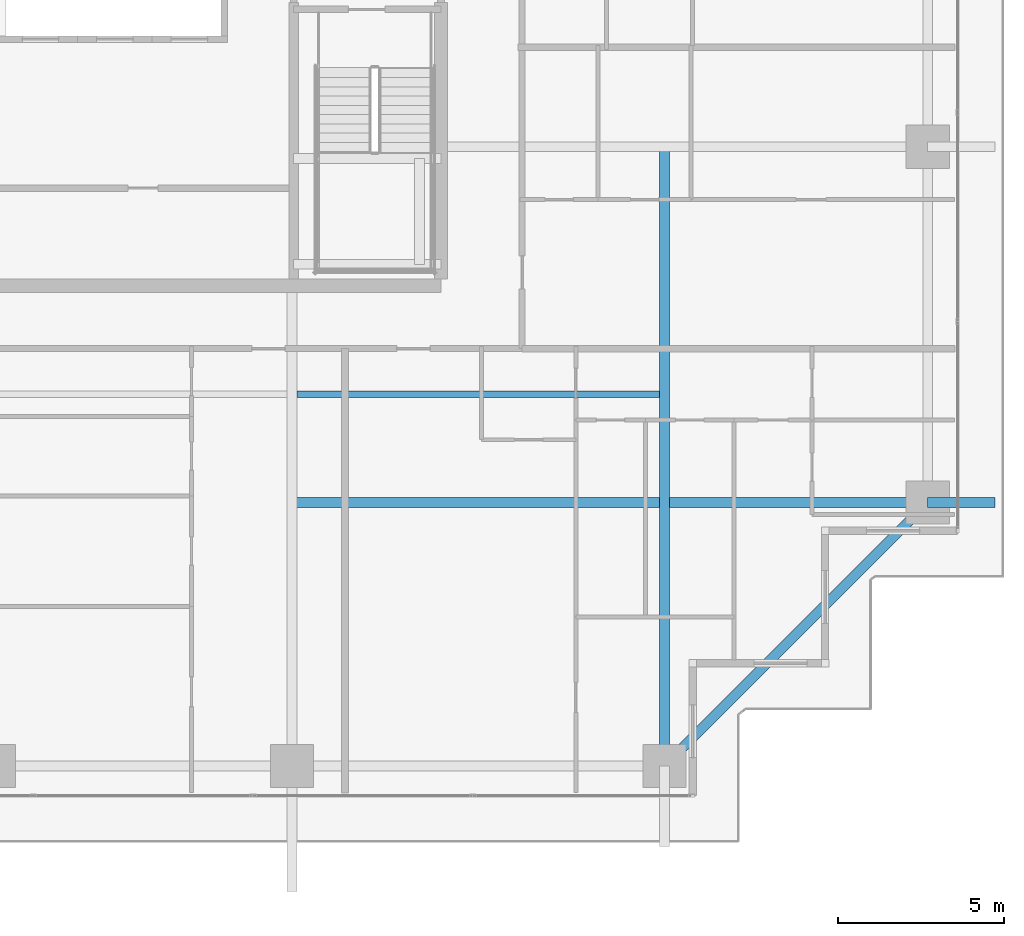
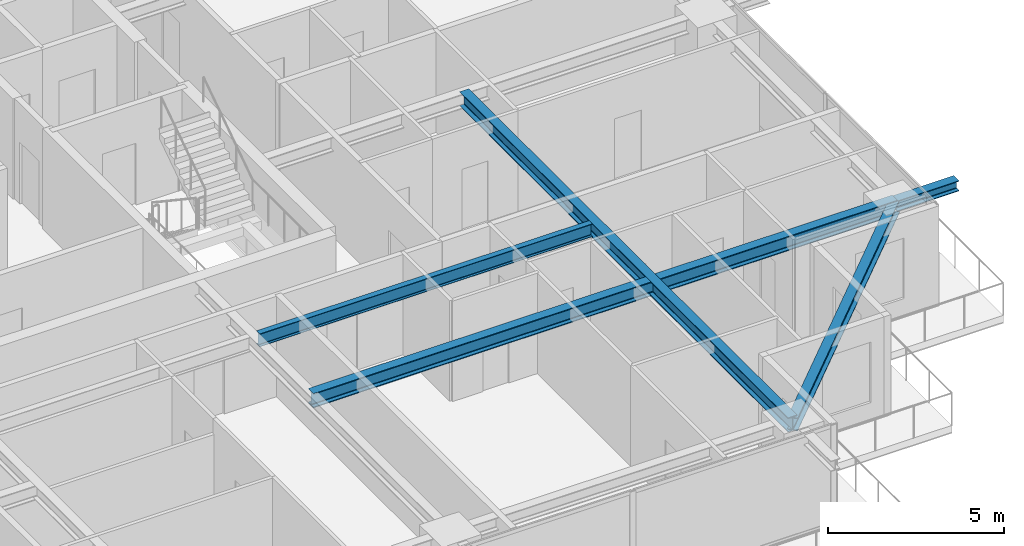
# One storey, part 13 of 38: 5 beams.
"""IFC4 building model written with IfcOpenShell, lengths in metres."""

from ifc_helpers import new_model, si_unit, direction, frame, origin, origin_2d, place, context, subcontext, project, spatial, i_section, extrude, source, transform, mapped, material, material_profile, profile_set, type_object, element, save


model = new_model("IFC4")

# Units and contexts
model_context = context("Model", 3, precision=1e-05, world=origin(), true_north=direction((0.0, 1.0)))
body_context = subcontext(model_context, "Body", "Model", "MODEL_VIEW")
ifc_project = project(units=[si_unit("LENGTHUNIT", "METRE"), si_unit("AREAUNIT", "SQUARE_METRE"), si_unit("VOLUMEUNIT", "CUBIC_METRE"), si_unit("PLANEANGLEUNIT", "RADIAN"), si_unit("MASSUNIT", "GRAM", prefix="KILO")], contexts=[model_context])

# Site, building, storey
site_placement = place(None, origin())
site = spatial("IfcSite", under=ifc_project, at=site_placement, CompositionType="ELEMENT")
building_placement = place(site_placement, origin())
building = spatial("IfcBuilding", under=site, at=building_placement, Name="Serunith Strait Residences", CompositionType="ELEMENT")
storey_placement = place(building_placement, frame((0.0, 0.0, 183.89990234375)))
storey = spatial("IfcBuildingStorey", under=building, at=storey_placement, Name="L46", CompositionType="ELEMENT", Elevation=183.89990234375)

# Beams
ifc_material = material(Name="Steel S355J2", Category="steel")
ifc_material_profile_1 = material_profile(ifc_material, i_section(OverallWidth=0.300048828125, OverallDepth=0.5, WebThickness=0.014404296875, FlangeThickness=0.028076171875, FilletRadius=0.027099609375, at=origin_2d()), Name="HEB 500")
ifc_profile_set_1 = profile_set([ifc_material_profile_1], Name="Steel S355J2")
beam_type_1 = type_object("IfcBeamType", Name="BM-HEB500", PredefinedType="BEAM", material=ifc_profile_set_1)
shared_shape_1 = source(origin(), body_context, "Body", "SweptSolid", [
    extrude(i_section(OverallWidth=0.300048828125, OverallDepth=0.5, WebThickness=0.014404296875, FlangeThickness=0.028076171875, FilletRadius=0.027099609375, at=origin_2d()), origin(), (0.0, 0.0, 1.0), 18.699951171875),
])
beam_1_placement = place(storey_placement, frame((48.14990234375, 21.0, 3.237060546875), z_axis=(0.0, -1.0, 0.0), x_axis=(1.0, 0.0, 0.0)))
element("IfcBeam", 1, at=beam_1_placement, inside=storey, type_object=beam_type_1, Name="L46 Orthogonal Corner Girder TC-S4", PredefinedType="BEAM", context=body_context, shape_type="MappedRepresentation", body=[
    mapped(shared_shape_1, transform((0.0, 0.0, 0.0), scale=1.0)),
])
shared_shape_2 = source(origin(), body_context, "Body", "SweptSolid", [
    extrude(i_section(OverallWidth=0.300048828125, OverallDepth=0.5, WebThickness=0.014404296875, FlangeThickness=0.028076171875, FilletRadius=0.027099609375, at=origin_2d()), origin(), (0.0, 0.0, 1.0), 19.2001953125),
])
beam_2_placement = place(storey_placement, frame((36.89990234375, 10.25, 3.237060546875), z_axis=(1.0, 0.0, 0.0), x_axis=(0.0, 1.0, 0.0)))
element("IfcBeam", 2, at=beam_2_placement, inside=storey, type_object=beam_type_1, Name="L46 Orthogonal Corner Girder TC-E1", PredefinedType="BEAM", context=body_context, shape_type="MappedRepresentation", body=[
    mapped(shared_shape_2, transform((0.0, 0.0, 0.0), scale=1.0)),
])
ifc_material_profile_2 = material_profile(ifc_material, i_section(OverallWidth=0.300048828125, OverallDepth=0.449951171875, WebThickness=0.013916015625, FlangeThickness=0.02587890625, FilletRadius=0.027099609375, at=origin_2d()), Name="HEB 450")
ifc_profile_set_2 = profile_set([ifc_material_profile_2], Name="Steel S355J2")
beam_type_2 = type_object("IfcBeamType", Name="BM-HEB450", PredefinedType="BEAM", material=ifc_profile_set_2)
shared_shape_3 = source(origin(), body_context, "Body", "SweptSolid", [
    extrude(i_section(OverallWidth=0.300048828125, OverallDepth=0.449951171875, WebThickness=0.013916015625, FlangeThickness=0.02587890625, FilletRadius=0.027099609375, at=origin_2d()), origin(), (0.0, 0.0, 1.0), 11.2431640625),
])
beam_3_placement = place(storey_placement, frame((48.14990234375, 2.300048828125, 3.232177734375), z_axis=(0.707117638455, 0.707095923751, 0.0), x_axis=(-0.707095923751, 0.707117638455, 0.0)))
element("IfcBeam", 3, at=beam_3_placement, inside=storey, type_object=beam_type_2, Name="L46 Perimeter Ring Beam 04", PredefinedType="BEAM", context=body_context, shape_type="MappedRepresentation", body=[
    mapped(shared_shape_3, transform((0.0, 0.0, 0.0), scale=1.0)),
])
ifc_material_profile_3 = material_profile(ifc_material, i_section(OverallWidth=0.18994140625, OverallDepth=0.449951171875, WebThickness=0.009521484375, FlangeThickness=0.0146484375, FilletRadius=0.02099609375, at=origin_2d()), Name="IPE 450")
ifc_profile_set_3 = profile_set([ifc_material_profile_3], Name="Steel S355J2")
beam_type_3 = type_object("IfcBeamType", Name="BM-IPE450", PredefinedType="JOIST", material=ifc_profile_set_3)
shared_shape_4 = source(origin(), body_context, "Body", "SweptSolid", [
    extrude(i_section(OverallWidth=0.18994140625, OverallDepth=0.449951171875, WebThickness=0.009521484375, FlangeThickness=0.0146484375, FilletRadius=0.02099609375, at=origin_2d()), origin(), (0.0, 0.0, 1.0), 10.949951171875),
])
beam_4_placement = place(storey_placement, frame((37.050048828125, 13.52490234375, 3.26220703125), z_axis=(1.0, 0.0, 0.0), x_axis=(0.0, 1.0, 0.0)))
element("IfcBeam", 4, at=beam_4_placement, inside=storey, type_object=beam_type_3, Name="L46 Composite Floor Joist 03", PredefinedType="JOIST", context=body_context, shape_type="MappedRepresentation", body=[
    mapped(shared_shape_4, transform((0.0, 0.0, 0.0), scale=1.0)),
])
ifc_material_profile_4 = material_profile(ifc_material, i_section(OverallWidth=0.300048828125, OverallDepth=0.360107421875, WebThickness=0.012451171875, FlangeThickness=0.0224609375, FilletRadius=0.027099609375, at=origin_2d()), Name="HEB 360")
ifc_profile_set_4 = profile_set([ifc_material_profile_4], Name="Steel S355J2")
beam_type_4 = type_object("IfcBeamType", Name="BM-HEB360", PredefinedType="BEAM", material=ifc_profile_set_4)
shared_shape_5 = source(origin(), body_context, "Body", "SweptSolid", [
    extrude(i_section(OverallWidth=0.300048828125, OverallDepth=0.360107421875, WebThickness=0.012451171875, FlangeThickness=0.0224609375, FilletRadius=0.027099609375, at=origin_2d()), origin(), (0.0, 0.0, 1.0), 2.02978515625),
])
beam_5_placement = place(storey_placement, frame((56.10009765625, 10.25, 3.277099609375), z_axis=(1.0, 0.0, 0.0), x_axis=(0.0, 1.0, 0.0)))
element("IfcBeam", 5, at=beam_5_placement, inside=storey, type_object=beam_type_4, Name="L47 Cantilevered Balcony Rib TC-E1", PredefinedType="BEAM", context=body_context, shape_type="MappedRepresentation", body=[
    mapped(shared_shape_5, transform((0.0, 0.0, 0.0), scale=1.0)),
])

save(model, "model.ifc")
